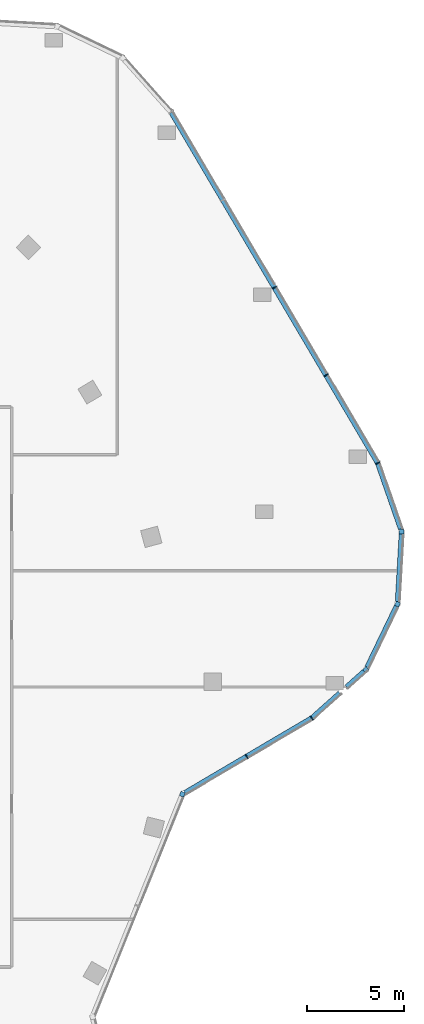
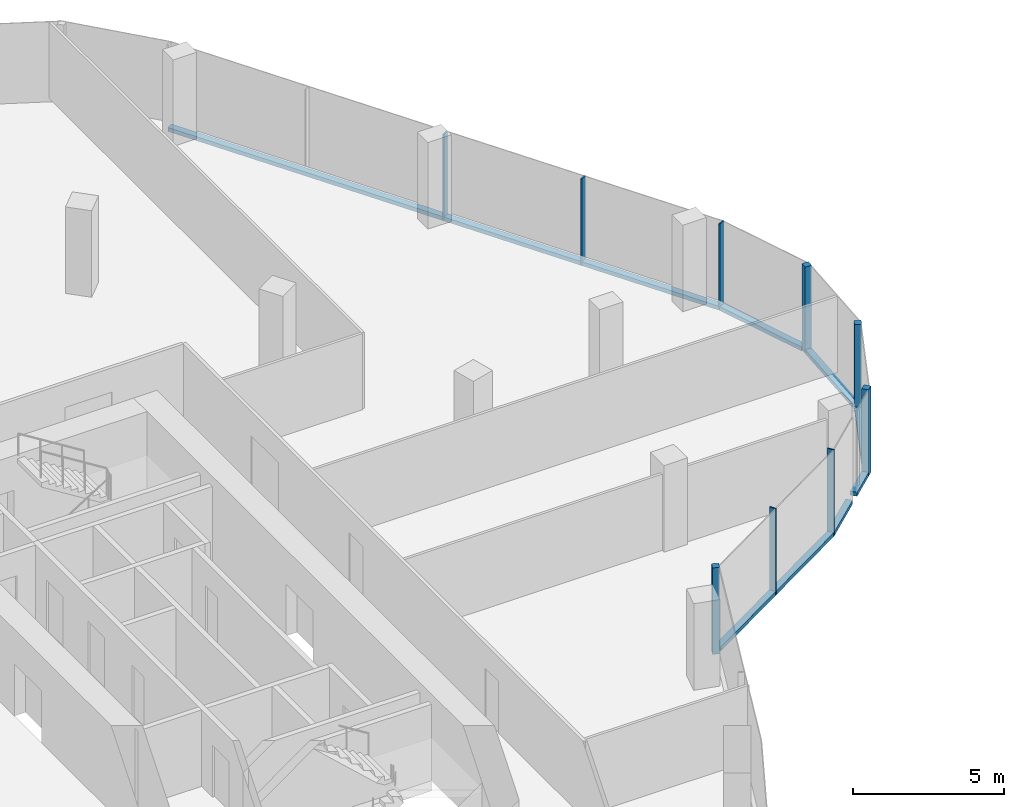
# One storey, part 7 of 16: 16 members, 7 elements without a shape of their own.
"""IFC4 building model written with IfcOpenShell, lengths in metres."""

from ifc_helpers import new_model, si_unit, direction, frame, origin, origin_2d, place, context, subcontext, project, spatial, rectangle, extrude, material, material_profile, profile_set, type_object, element, aggregate, save


model = new_model("IFC4")

# Units and contexts
model_context = context("Model", 3, precision=1e-05, world=origin(), true_north=direction((0.0, 1.0)))
body_context = subcontext(model_context, "Body", "Model", "MODEL_VIEW")
ifc_project = project(units=[si_unit("LENGTHUNIT", "METRE"), si_unit("AREAUNIT", "SQUARE_METRE"), si_unit("VOLUMEUNIT", "CUBIC_METRE"), si_unit("PLANEANGLEUNIT", "RADIAN"), si_unit("MASSUNIT", "GRAM", prefix="KILO")], contexts=[model_context])

# Site, building, storey
site_placement = place(None, origin())
site = spatial("IfcSite", under=ifc_project, at=site_placement, CompositionType="ELEMENT")
building_placement = place(site_placement, origin())
building = spatial("IfcBuilding", under=site, at=building_placement, Name="Orlundy Tower", CompositionType="ELEMENT")
storey_placement = place(building_placement, frame((0.0, 0.0, 282.39990234375)))
storey = spatial("IfcBuildingStorey", under=building, at=storey_placement, Name="L75", CompositionType="ELEMENT", Elevation=282.39990234375)

# Curtain wall, member
ifc_material_1 = material(Name="Aluminium bronze anodised", Category="aluminium")
curtain_wall_type = type_object("IfcCurtainWallType", Name="CW6 wall", PredefinedType="NOTDEFINED", material=ifc_material_1)
curtain_wall_1_placement = place(storey_placement, origin())
curtain_wall_1 = element("IfcCurtainWall", 1, at=curtain_wall_1_placement, inside=storey, type_object=curtain_wall_type, Name="CW6 run 01", PredefinedType="NOTDEFINED")
ifc_material_2 = material(Name="Aluminium bronze anodised", Category="aluminium")
ifc_material_profile_1 = material_profile(ifc_material_2, rectangle(XDim=0.239990234375, YDim=0.239990234375, at=origin_2d()), Name="CW6 corner post 240x240")
ifc_profile_set_1 = profile_set([ifc_material_profile_1], Name="Aluminium bronze anodised")
member_type_1 = type_object("IfcMemberType", Name="CW6 corner post 240x240", PredefinedType="MULLION", material=ifc_profile_set_1)
member_1_placement = place(storey_placement, frame((30.25, -5.53271484375, -0.39990234375), z_axis=(0.0, 0.0, 1.0), x_axis=(0.927195304229, -0.37457825326, 0.0)))
member_1 = element("IfcMember", 2, at=member_1_placement, type_object=member_type_1, Name="CW6 mullion 3", PredefinedType="MULLION", context=body_context, shape_type="SweptSolid", body=[
    extrude(rectangle(XDim=0.239990234375, YDim=0.239990234375, at=origin_2d()), origin(), (0.0, 0.0, 1.0), 3.5),
])
aggregate(curtain_wall_1, [member_1])

curtain_wall_2_placement = place(storey_placement, origin())
curtain_wall_2 = element("IfcCurtainWall", 3, at=curtain_wall_2_placement, inside=storey, type_object=curtain_wall_type, Name="CW6 run 025", PredefinedType="NOTDEFINED")
member_2_placement = place(storey_placement, frame((41.568115234375, 8.026123046875, -0.39990234375), z_axis=(0.0, 0.0, 1.0), x_axis=(0.998394082315, -0.056650299193, 0.0)))
member_2 = element("IfcMember", 4, at=member_2_placement, type_object=member_type_1, Name="CW6 mullion 50", PredefinedType="MULLION", context=body_context, shape_type="SweptSolid", body=[
    extrude(rectangle(XDim=0.239990234375, YDim=0.239990234375, at=origin_2d()), origin(), (0.0, 0.0, 1.0), 3.5),
])

curtain_wall_3_placement = place(storey_placement, origin())
curtain_wall_3 = element("IfcCurtainWall", 5, at=curtain_wall_3_placement, inside=storey, type_object=curtain_wall_type, Name="CW6 run 026", PredefinedType="NOTDEFINED")
member_3_placement = place(storey_placement, frame((41.35546875, 4.27734375, -0.39990234375), z_axis=(0.0, 0.0, 1.0), x_axis=(0.900755489188, -0.434326546158, 0.0)))
member_3 = element("IfcMember", 6, at=member_3_placement, type_object=member_type_1, Name="CW6 mullion 51", PredefinedType="MULLION", context=body_context, shape_type="SweptSolid", body=[
    extrude(rectangle(XDim=0.239990234375, YDim=0.239990234375, at=origin_2d()), origin(), (0.0, 0.0, 1.0), 3.5),
])

curtain_wall_4_placement = place(storey_placement, origin())
curtain_wall_4 = element("IfcCurtainWall", 7, at=curtain_wall_4_placement, inside=storey, type_object=curtain_wall_type, Name="CW6 run 027", PredefinedType="NOTDEFINED")
member_4_placement = place(storey_placement, frame((39.724609375, 0.895263671875, -0.39990234375), z_axis=(0.0, 0.0, 1.0), x_axis=(0.665769138425, -0.746157794518, 0.0)))
member_4 = element("IfcMember", 8, at=member_4_placement, type_object=member_type_1, Name="CW6 mullion 52", PredefinedType="MULLION", context=body_context, shape_type="SweptSolid", body=[
    extrude(rectangle(XDim=0.239990234375, YDim=0.239990234375, at=origin_2d()), origin(), (0.0, 0.0, 1.0), 3.5),
])

# Curtain wall, members
curtain_wall_5_placement = place(storey_placement, origin())
curtain_wall_5 = element("IfcCurtainWall", 9, at=curtain_wall_5_placement, inside=storey, type_object=curtain_wall_type, Name="CW6 run 00", PredefinedType="NOTDEFINED")
ifc_material_3 = material(Name="Aluminium bronze anodised", Category="aluminium")
ifc_material_profile_2 = material_profile(ifc_material_3, rectangle(XDim=0.239990234375, YDim=0.050048828125, at=origin_2d()), Name="CW6 mullion 50x240")
ifc_profile_set_2 = profile_set([ifc_material_profile_2], Name="Aluminium bronze anodised")
member_type_2 = type_object("IfcMemberType", Name="CW6 mullion 50x240", PredefinedType="MULLION", material=ifc_profile_set_2)
member_5_placement = place(storey_placement, frame((36.93212890625, -1.596435546875, -0.39990234375), z_axis=(0.0, 0.0, 1.0), x_axis=(0.58950023819, -0.807768202626, 0.0)))
member_5 = element("IfcMember", 10, at=member_5_placement, type_object=member_type_2, Name="CW6 mullion 1", PredefinedType="MULLION", context=body_context, shape_type="SweptSolid", body=[
    extrude(rectangle(XDim=0.239990234375, YDim=0.050048828125, at=origin_2d()), origin(), (0.0, 0.0, 1.0), 3.5),
])
member_6_placement = place(storey_placement, frame((33.568359375, -3.577880859375, -0.39990234375), z_axis=(0.0, 0.0, 1.0), x_axis=(0.507564597416, -0.861613706628, 0.0)))
member_6 = element("IfcMember", 11, at=member_6_placement, type_object=member_type_2, Name="CW6 mullion 2", PredefinedType="MULLION", context=body_context, shape_type="SweptSolid", body=[
    extrude(rectangle(XDim=0.239990234375, YDim=0.050048828125, at=origin_2d()), origin(), (0.0, 0.0, 1.0), 3.5),
])

curtain_wall_6_placement = place(storey_placement, origin())
curtain_wall_6 = element("IfcCurtainWall", 12, at=curtain_wall_6_placement, inside=storey, type_object=curtain_wall_type, Name="CW6 run 023", PredefinedType="NOTDEFINED")
member_7_placement = place(storey_placement, frame((34.99951171875, 20.615966796875, -0.39990234375), z_axis=(0.0, 0.0, 1.0), x_axis=(0.861632919827, 0.507531980737, 0.0)))
member_7 = element("IfcMember", 13, at=member_7_placement, type_object=member_type_2, Name="CW6 mullion 47", PredefinedType="MULLION", context=body_context, shape_type="SweptSolid", body=[
    extrude(rectangle(XDim=0.239990234375, YDim=0.050048828125, at=origin_2d()), origin(), (0.0, 0.0, 1.0), 3.5),
])
member_8_placement = place(storey_placement, frame((37.663818359375, 16.09228515625, -0.39990234375), z_axis=(0.0, 0.0, 1.0), x_axis=(0.861632919827, 0.507531980737, 0.0)))
member_8 = element("IfcMember", 14, at=member_8_placement, type_object=member_type_2, Name="CW6 mullion 48", PredefinedType="MULLION", context=body_context, shape_type="SweptSolid", body=[
    extrude(rectangle(XDim=0.239990234375, YDim=0.050048828125, at=origin_2d()), origin(), (0.0, 0.0, 1.0), 3.5),
])

# Curtain wall, member
curtain_wall_7_placement = place(storey_placement, origin())
curtain_wall_7 = element("IfcCurtainWall", 15, at=curtain_wall_7_placement, inside=storey, type_object=curtain_wall_type, Name="CW6 run 024", PredefinedType="NOTDEFINED")
member_9_placement = place(storey_placement, frame((40.33447265625, 11.558837890625, -0.39990234375), z_axis=(0.0, 0.0, 1.0), x_axis=(0.907224134583, 0.420647559877, 0.0)))
member_9 = element("IfcMember", 16, at=member_9_placement, type_object=member_type_2, Name="CW6 mullion 49", PredefinedType="MULLION", context=body_context, shape_type="SweptSolid", body=[
    extrude(rectangle(XDim=0.239990234375, YDim=0.050048828125, at=origin_2d()), origin(), (0.0, 0.0, 1.0), 3.5),
])

# Member
ifc_material_4 = material(Name="Aluminium bronze anodised", Category="aluminium")
ifc_material_profile_3 = material_profile(ifc_material_4, rectangle(XDim=0.239990234375, YDim=0.159912109375, at=origin_2d()), Name="CW6 transom 240x160")
ifc_profile_set_3 = profile_set([ifc_material_profile_3], Name="Aluminium bronze anodised")
member_type_3 = type_object("IfcMemberType", Name="CW6 transom 240x160", PredefinedType="USERDEFINED", material=ifc_profile_set_3)
member_10_placement = place(storey_placement, frame((36.910400390625, -1.609130859375, -0.31982421875), z_axis=(-0.861603620196, -0.507581719199, 0.0), x_axis=(0.507581719199, -0.861603620196, 0.0)))
member_10 = element("IfcMember", 17, at=member_10_placement, type_object=member_type_3, Name="CW6 transom", ObjectType="TRANSOM", PredefinedType="USERDEFINED", context=body_context, shape_type="SweptSolid", body=[
    extrude(rectangle(XDim=0.239990234375, YDim=0.159912109375, at=origin_2d()), origin(), (0.0, 0.0, 1.0), 7.578857421875),
])

aggregate(curtain_wall_5, [member_5, member_6, member_10])

member_11_placement = place(storey_placement, frame((29.67724609375, 29.6513671875, -0.31982421875), z_axis=(0.507525200297, -0.861636913708, 0.0), x_axis=(0.861636913708, 0.507525200297, 0.0)))
member_11 = element("IfcMember", 18, at=member_11_placement, type_object=member_type_3, Name="CW6 transom", ObjectType="TRANSOM", PredefinedType="USERDEFINED", context=body_context, shape_type="SweptSolid", body=[
    extrude(rectangle(XDim=0.239990234375, YDim=0.159912109375, at=origin_2d()), origin(), (0.0, 0.0, 1.0), 20.972900390625),
])

aggregate(curtain_wall_6, [member_7, member_8, member_11])

member_12_placement = place(storey_placement, frame((40.3427734375, 11.534912109375, -0.31982421875), z_axis=(0.329713648261, -0.944080987072, 0.0), x_axis=(0.944080987072, 0.329713648261, 0.0)))
member_12 = element("IfcMember", 19, at=member_12_placement, type_object=member_type_3, Name="CW6 transom", ObjectType="TRANSOM", PredefinedType="USERDEFINED", context=body_context, shape_type="SweptSolid", body=[
    extrude(rectangle(XDim=0.239990234375, YDim=0.159912109375, at=origin_2d()), origin(), (0.0, 0.0, 1.0), 3.5869140625),
])

aggregate(curtain_wall_7, [member_9, member_12])

member_13_placement = place(storey_placement, frame((41.561279296875, 7.90625, -0.31982421875), z_axis=(-0.056631219489, -0.998395164741, 0.0), x_axis=(0.998395164741, -0.056631219489, 0.0)))
member_13 = element("IfcMember", 20, at=member_13_placement, type_object=member_type_3, Name="CW6 transom", ObjectType="TRANSOM", PredefinedType="USERDEFINED", context=body_context, shape_type="SweptSolid", body=[
    extrude(rectangle(XDim=0.239990234375, YDim=0.159912109375, at=origin_2d()), origin(), (0.0, 0.0, 1.0), 3.5048828125),
])

aggregate(curtain_wall_2, [member_2, member_13])

member_14_placement = place(storey_placement, frame((41.30322265625, 4.169189453125, -0.31982421875), z_axis=(-0.43429312937, -0.900771601341, 0.0), x_axis=(0.900771601341, -0.43429312937, 0.0)))
member_14 = element("IfcMember", 21, at=member_14_placement, type_object=member_type_3, Name="CW6 transom", ObjectType="TRANSOM", PredefinedType="USERDEFINED", context=body_context, shape_type="SweptSolid", body=[
    extrude(rectangle(XDim=0.239990234375, YDim=0.159912109375, at=origin_2d()), origin(), (0.0, 0.0, 1.0), 3.50439453125),
])

aggregate(curtain_wall_3, [member_3, member_14])

member_15_placement = place(storey_placement, frame((39.63525390625, 0.8154296875, -0.31982421875), z_axis=(-0.746222637186, -0.665696459169, 0.0), x_axis=(0.665696459169, -0.746222637186, 0.0)))
member_15 = element("IfcMember", 22, at=member_15_placement, type_object=member_type_3, Name="CW6 transom", ObjectType="TRANSOM", PredefinedType="USERDEFINED", context=body_context, shape_type="SweptSolid", body=[
    extrude(rectangle(XDim=0.239990234375, YDim=0.159912109375, at=origin_2d()), origin(), (0.0, 0.0, 1.0), 1.2158203125),
])

member_16_placement = place(storey_placement, frame((38.37939453125, -0.304931640625, -0.31982421875), z_axis=(-0.746134478981, -0.665795268289, 0.0), x_axis=(0.665795268289, -0.746134478981, 0.0)))
member_16 = element("IfcMember", 23, at=member_16_placement, type_object=member_type_3, Name="CW6 transom", ObjectType="TRANSOM", PredefinedType="USERDEFINED", context=body_context, shape_type="SweptSolid", body=[
    extrude(rectangle(XDim=0.239990234375, YDim=0.159912109375, at=origin_2d()), origin(), (0.0, 0.0, 1.0), 1.91455078125),
])

aggregate(curtain_wall_4, [member_4, member_15, member_16])

save(model, "model.ifc")
